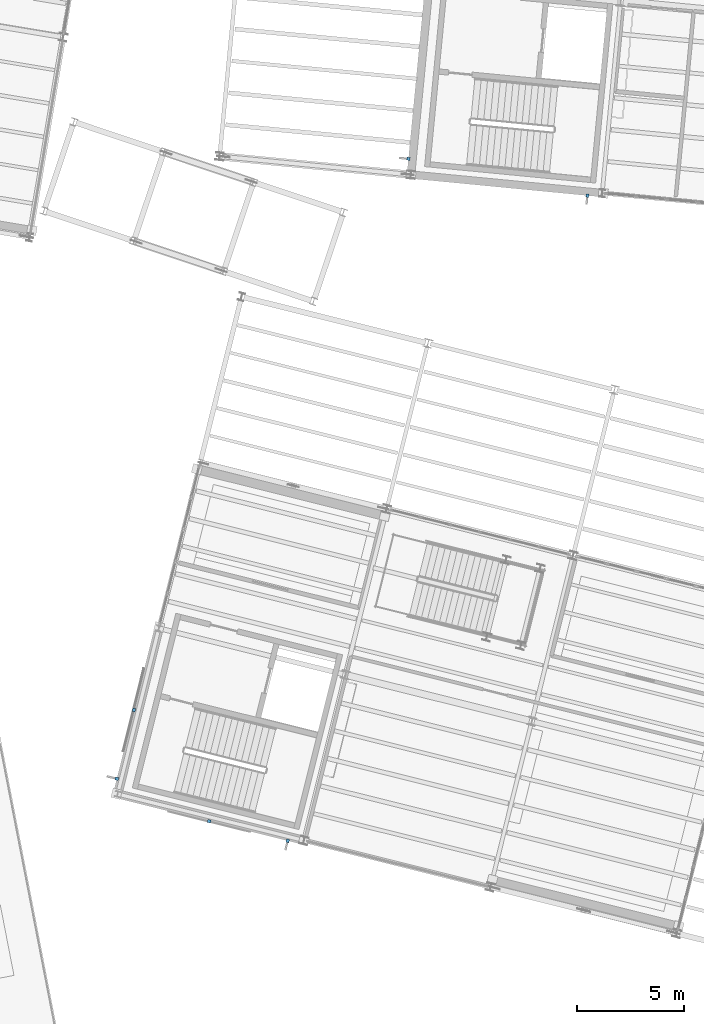
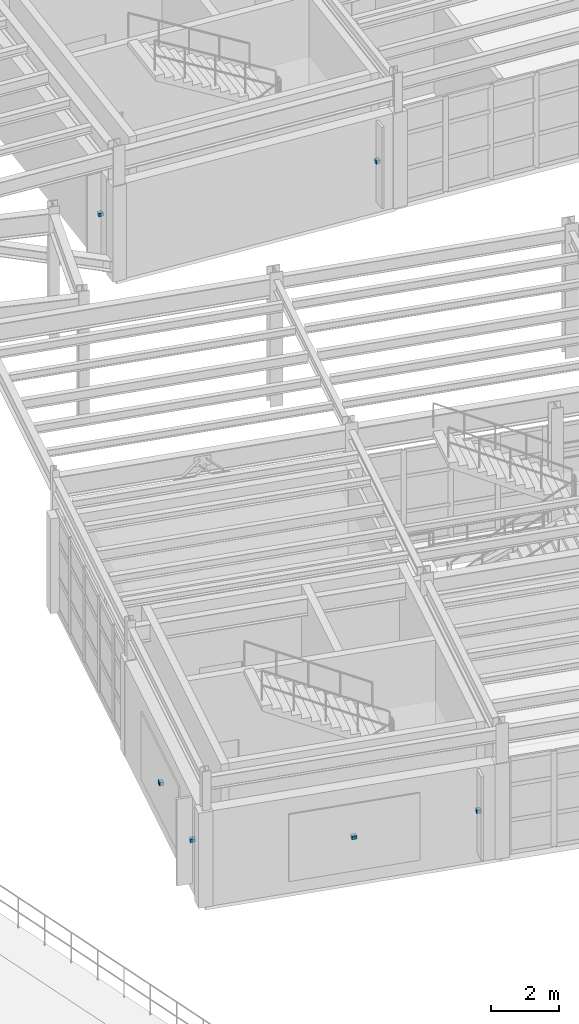
# One storey, part 98 of 109: 6 discrete accessories.
"""IFC4 building model written with IfcOpenShell, lengths in metres."""

from ifc_helpers import new_model, si_unit, direction, frame, origin, origin_2d, place, context, subcontext, project, spatial, rectangle, extrude, material, type_object, element, save


model = new_model("IFC4")

# Units and contexts
model_context = context("Model", 3, precision=1e-05, world=origin(), true_north=direction((0.0, 1.0)))
body_context = subcontext(model_context, "Body", "Model", "MODEL_VIEW")
ifc_project = project(units=[si_unit("LENGTHUNIT", "METRE"), si_unit("AREAUNIT", "SQUARE_METRE"), si_unit("VOLUMEUNIT", "CUBIC_METRE"), si_unit("PLANEANGLEUNIT", "RADIAN"), si_unit("MASSUNIT", "GRAM", prefix="KILO")], contexts=[model_context])

# Site, building, storey
site_placement = place(None, origin())
site = spatial("IfcSite", under=ifc_project, at=site_placement, CompositionType="ELEMENT")
building_placement = place(site_placement, origin())
building = spatial("IfcBuilding", under=site, at=building_placement, Name="Vireo Bluff Cable Station", CompositionType="ELEMENT")
storey_placement = place(building_placement, frame((0.0, 0.0, 4.800048828125)))
storey = spatial("IfcBuildingStorey", under=building, at=storey_placement, Name="L01", CompositionType="ELEMENT", Elevation=4.800048828125)

# Discrete accessories
ifc_material = material(Name="Stainless Steel 316", Category="steel")
discrete_accessory_type = type_object("IfcDiscreteAccessoryType", Name="FACADE-BRACKET-01", PredefinedType="BRACKET", material=ifc_material)
for number, where, z_axis, x_axis, name in (
    (1, (61.96923828125, 35.806884765625, 1.789794921875), (0.0, 0.0, 1.0), (-0.970295718114, 0.241921928335, 0.0), "V1 L01 solar fin bracket 3"),
    (2, (53.966552734375, 38.71337890625, 1.789794921875), (0.0, 0.0, 1.0), (0.241921822543, 0.970295744491, 0.0), "V1 L01 solar fin bracket 4"),
    (3, (76.001953125, 66.02734375, 1.789794921875), (0.0, 0.0, 1.0), (-0.995396195058, 0.095845786884, 0.0), "V3 L01 solar fin bracket 20"),
    (4, (67.6240234375, 67.750244140625, 1.789794921875), (0.0, 0.0, 1.0), (0.095845729484, 0.995396200585, 0.0), "V3 L01 solar fin bracket 21"),
):
    element("IfcDiscreteAccessory", number, at=place(storey_placement, frame(where, z_axis=z_axis, x_axis=x_axis)), inside=storey, type_object=discrete_accessory_type, Name=name, PredefinedType="BRACKET", context=body_context, shape_type="SweptSolid", body=[
        extrude(rectangle(XDim=0.139892578125, YDim=0.159912109375, at=origin_2d()), origin(), (0.0, 0.0, 1.0), 0.1201171875),
    ])
for number, where, z_axis, x_axis, name in (
    (5, (58.29052734375, 36.72412109375, 1.58984375), (0.0, 0.0, 1.0), (-0.970295718114, 0.241921928335, 0.0), "V1 L01 zinc cladding bracket 3"),
    (6, (54.769287109375, 41.9326171875, 1.58984375), (0.0, 0.0, 1.0), (0.241921822543, 0.970295744491, 0.0), "V1 L01 zinc cladding bracket 4"),
):
    element("IfcDiscreteAccessory", number, at=place(storey_placement, frame(where, z_axis=z_axis, x_axis=x_axis)), inside=storey, type_object=discrete_accessory_type, Name=name, PredefinedType="BRACKET", context=body_context, shape_type="SweptSolid", body=[
        extrude(rectangle(XDim=0.159912109375, YDim=0.139892578125, at=origin_2d()), origin(), (0.0, 0.0, 1.0), 0.1201171875),
    ])

save(model, "model.ifc")
